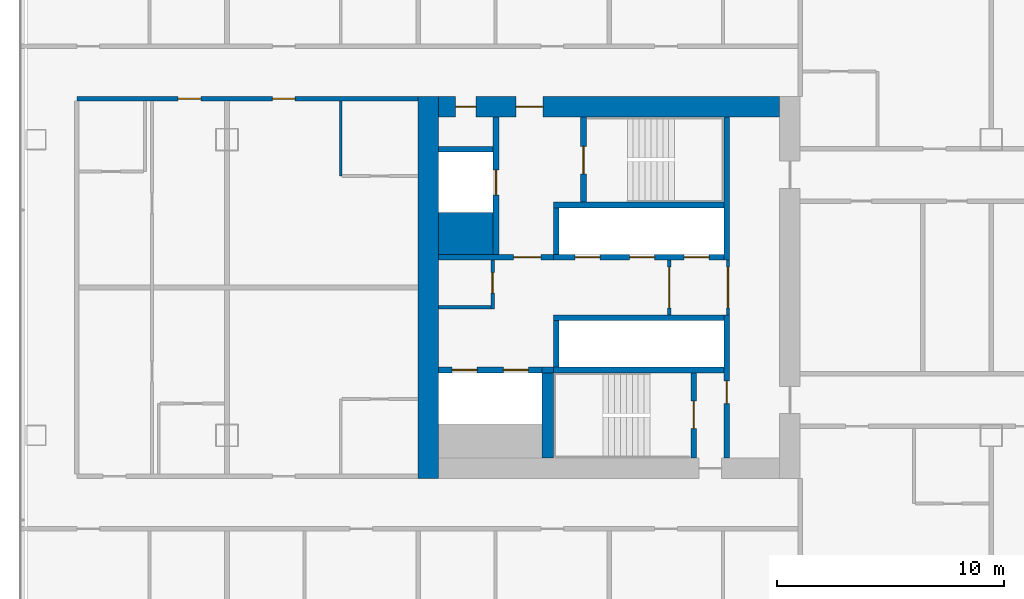
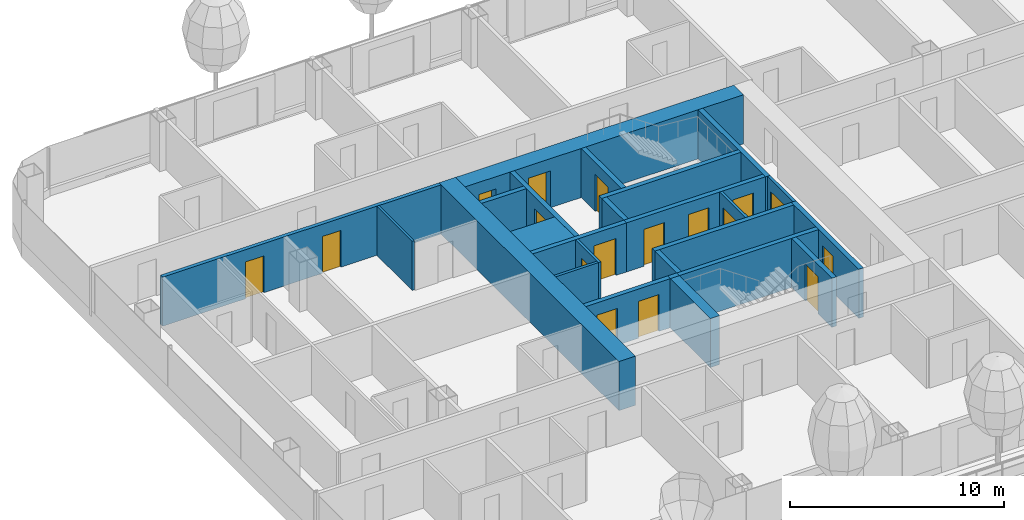
# One storey, part 14 of 35: 25 walls, 17 doors, 17 openings.
"""IFC4 building model written with IfcOpenShell, lengths in metres."""

from ifc_helpers import new_model, si_unit, direction, frame, frame_2d, origin, place, context, subcontext, project, spatial, rectangle, extrude, material, layer, layer_set, type_object, element, fill, save


model = new_model("IFC4")

# Units and contexts
model_context = context("Model", 3, precision=1e-05, world=origin(), true_north=direction((0.0, 1.0)))
body_context = subcontext(model_context, "Body", "Model", "MODEL_VIEW")
ifc_project = project(units=[si_unit("LENGTHUNIT", "METRE"), si_unit("AREAUNIT", "SQUARE_METRE"), si_unit("VOLUMEUNIT", "CUBIC_METRE"), si_unit("PLANEANGLEUNIT", "RADIAN"), si_unit("MASSUNIT", "GRAM", prefix="KILO")], contexts=[model_context])

# Site, building, storey
site_placement = place(None, origin())
site = spatial("IfcSite", under=ifc_project, at=site_placement, CompositionType="ELEMENT")
building_placement = place(site_placement, origin())
building = spatial("IfcBuilding", under=site, at=building_placement, Name="Hakoniwa Tower and Hamabe Station Hall", CompositionType="ELEMENT")
storey_placement = place(building_placement, frame((0.0, 0.0, 51.800048828125)))
storey = spatial("IfcBuildingStorey", under=building, at=storey_placement, Name="L14", CompositionType="ELEMENT", Elevation=51.800048828125)

# Wall
ifc_material_1 = material(Name="Gypsum board partition", Category="gypsum")
ifc_layer_1 = layer(ifc_material_1, 0.125)
ifc_layer_set_1 = layer_set([ifc_layer_1], Name="Bathroom Partition 125")
wall_type_1 = type_object("IfcWallType", Name="Bathroom Partition 125", PredefinedType="PARTITIONING", material=ifc_layer_set_1)
wall_1_placement = place(storey_placement, frame((-37.0, 4.89990234375, 0.0), z_axis=(0.0, 0.0, 1.0), x_axis=(0.0, 1.0, 0.0)))
element("IfcWall", 1, at=wall_1_placement, inside=storey, type_object=wall_type_1, Name="GW-L14-051", PredefinedType="PARTITIONING", context=body_context, shape_type="SweptSolid", body=[
    extrude(rectangle(XDim=3.300048828125, YDim=0.125, at=frame_2d((1.64990234375, 0.0))), origin(), (0.0, 0.0, 1.0), 2.800048828125),
])

# Wall, opening, door
ifc_material_2 = material(Name="Gypsum board partition")
ifc_layer_2 = layer(ifc_material_2, 0.14990234375)
ifc_layer_set_2 = layer_set([ifc_layer_2], Name="CORE PARTITION 150 EI 60")
wall_type_2 = type_object("IfcWallType", Name="CORE PARTITION 150 EI 60", PredefinedType="PARTITIONING", material=ifc_layer_set_2)
wall_2_placement = place(storey_placement, frame((-19.97509765625, -1.199951171875, 0.0), z_axis=(0.0, 0.0, 1.0), x_axis=(0.0, 1.0, 0.0)))
wall_2 = element("IfcWall", 2, at=wall_2_placement, inside=storey, type_object=wall_type_2, Name="Core partition PL0 west", PredefinedType="PARTITIONING", context=body_context, shape_type="SweptSolid", body=[
    extrude(rectangle(XDim=2.39990234375, YDim=0.14990234375, at=frame_2d((1.199951171875, 0.0))), origin(), (0.0, 0.0, 1.0), 2.800048828125),
])
opening_1_placement = place(wall_2_placement, frame((0.300048828125, 0.0, 0.0)))
opening_1 = element("IfcOpeningElement", 3, at=opening_1_placement, cuts=wall_2, Name="Opening CD-W-LP0-18", PredefinedType="OPENING", context=body_context, shape_type="SweptSolid", body=[
    extrude(rectangle(XDim=1.800048828125, YDim=2.10009765625, at=frame_2d((0.89990234375, 1.050048828125))), frame((0.0, 0.0849609375, 0.0), z_axis=(0.0, -1.0, 0.0), x_axis=(1.0, 0.0, 0.0)), (0.0, 0.0, 1.0), 0.169921875),
])
ifc_material_3 = material(Name="Steel fire door", Category="steel")
door_type_1 = type_object("IfcDoorType", Name="CORE DOOR 1800 FD60", OperationType="DOUBLE_DOOR_SINGLE_SWING", PredefinedType="DOOR", material=ifc_material_3)
door_1_placement = place(opening_1_placement, origin())
door_1 = element("IfcDoor", 4, at=door_1_placement, inside=storey, type_object=door_type_1, Name="Lift lobby partition door", OperationType="DOUBLE_DOOR_SINGLE_SWING", OverallHeight=2.10009765625, OverallWidth=1.800048828125, PredefinedType="DOOR", context=body_context, shape_type="SweptSolid", body=[
    extrude(rectangle(XDim=1.800048828125, YDim=2.10009765625, at=frame_2d((0.89990234375, 1.050048828125))), frame((0.0, 0.02490234375, 0.0), z_axis=(0.0, -1.0, 0.0), x_axis=(1.0, 0.0, 0.0)), (0.0, 0.0, 1.0), 0.050048828125),
])
fill(opening_1, door_1)

wall_3_placement = place(storey_placement, frame((-22.550048828125, -1.199951171875, 0.0), z_axis=(0.0, 0.0, 1.0), x_axis=(0.0, 1.0, 0.0)))
wall_3 = element("IfcWall", 5, at=wall_3_placement, inside=storey, type_object=wall_type_2, Name="Core partition PL1 west", PredefinedType="PARTITIONING", context=body_context, shape_type="SweptSolid", body=[
    extrude(rectangle(XDim=2.39990234375, YDim=0.14990234375, at=frame_2d((1.199951171875, 0.0))), origin(), (0.0, 0.0, 1.0), 2.800048828125),
])
opening_2_placement = place(wall_3_placement, frame((0.300048828125, 0.0, 0.0)))
opening_2 = element("IfcOpeningElement", 6, at=opening_2_placement, cuts=wall_3, Name="Opening CD-W-LP1-18", PredefinedType="OPENING", context=body_context, shape_type="SweptSolid", body=[
    extrude(rectangle(XDim=1.800048828125, YDim=2.10009765625, at=frame_2d((0.89990234375, 1.050048828125))), frame((0.0, 0.0849609375, 0.0), z_axis=(0.0, -1.0, 0.0), x_axis=(1.0, 0.0, 0.0)), (0.0, 0.0, 1.0), 0.169921875),
])
door_2_placement = place(opening_2_placement, origin())
door_2 = element("IfcDoor", 7, at=door_2_placement, inside=storey, type_object=door_type_1, Name="Lift lobby partition door", OperationType="DOUBLE_DOOR_SINGLE_SWING", OverallHeight=2.10009765625, OverallWidth=1.800048828125, PredefinedType="DOOR", context=body_context, shape_type="SweptSolid", body=[
    extrude(rectangle(XDim=1.800048828125, YDim=2.10009765625, at=frame_2d((0.89990234375, 1.050048828125))), frame((0.0, 0.02490234375, 0.0), z_axis=(0.0, -1.0, 0.0), x_axis=(1.0, 0.0, 0.0)), (0.0, 0.0, 1.0), 0.050048828125),
])
fill(opening_2, door_2)

wall_4_placement = place(storey_placement, frame((-30.324951171875, -0.949951171875, 0.0), z_axis=(0.0, 0.0, 1.0), x_axis=(0.0, 1.0, 0.0)))
wall_4 = element("IfcWall", 8, at=wall_4_placement, inside=storey, type_object=wall_type_2, Name="Core partition PW0 west", PredefinedType="PARTITIONING", context=body_context, shape_type="SweptSolid", body=[
    extrude(rectangle(XDim=2.14990234375, YDim=0.14990234375, at=frame_2d((1.074951171875, 0.0))), origin(), (0.0, 0.0, 1.0), 2.800048828125),
])
opening_3_placement = place(wall_4_placement, frame((0.699951171875, 0.0, 0.0)))
opening_3 = element("IfcOpeningElement", 9, at=opening_3_placement, cuts=wall_4, Name="Opening CD-W-RM1-9", PredefinedType="OPENING", context=body_context, shape_type="SweptSolid", body=[
    extrude(rectangle(XDim=0.89990234375, YDim=2.10009765625, at=frame_2d((0.449951171875, 1.050048828125))), frame((0.0, 0.0849609375, 0.0), z_axis=(0.0, -1.0, 0.0), x_axis=(1.0, 0.0, 0.0)), (0.0, 0.0, 1.0), 0.169921875),
])
ifc_material_4 = material(Name="Steel fire door", Category="steel")
door_type_2 = type_object("IfcDoorType", Name="CORE DOOR 900 FD30", OperationType="NOTDEFINED", PredefinedType="DOOR", material=ifc_material_4)
door_3_placement = place(opening_3_placement, origin())
door_3 = element("IfcDoor", 10, at=door_3_placement, inside=storey, type_object=door_type_2, Name="Store room door", OperationType="SINGLE_SWING_LEFT", OverallHeight=2.10009765625, OverallWidth=0.89990234375, PredefinedType="DOOR", context=body_context, shape_type="SweptSolid", body=[
    extrude(rectangle(XDim=0.89990234375, YDim=2.10009765625, at=frame_2d((0.449951171875, 1.050048828125))), frame((0.0, 0.02490234375, 0.0), z_axis=(0.0, -1.0, 0.0), x_axis=(1.0, 0.0, 0.0)), (0.0, 0.0, 1.0), 0.050048828125),
])
fill(opening_3, door_3)

# Walls
wall_5_placement = place(storey_placement, frame((-32.699951171875, -0.875, 0.0), z_axis=(0.0, 0.0, 1.0), x_axis=(1.0, 0.0, 0.0)))
element("IfcWall", 11, at=wall_5_placement, inside=storey, type_object=wall_type_2, Name="Core partition PS west", PredefinedType="PARTITIONING", context=body_context, shape_type="SweptSolid", body=[
    extrude(rectangle(XDim=2.300048828125, YDim=0.14990234375, at=frame_2d((1.14990234375, 0.0))), origin(), (0.0, 0.0, 1.0), 2.800048828125),
])
ifc_material_5 = material(Name="Concrete C80", Category="concrete")
ifc_layer_3 = layer(ifc_material_5, 0.89990234375)
ifc_layer_set_3 = layer_set([ifc_layer_3], Name="CORE WALL 900 C80")
wall_type_3 = type_object("IfcWallType", Name="CORE WALL 900 C80", PredefinedType="SHEAR", material=ifc_layer_set_3)
wall_6_placement = place(storey_placement, frame((-33.14990234375, -8.39990234375, 0.0), z_axis=(0.0, 0.0, 1.0), x_axis=(0.0, 1.0, 0.0)))
element("IfcWall", 12, at=wall_6_placement, inside=storey, type_object=wall_type_3, Name="Core wall OUTER west", PredefinedType="SHEAR", context=body_context, shape_type="SweptSolid", body=[
    extrude(rectangle(XDim=16.7998046875, YDim=0.89990234375, at=frame_2d((8.39990234375, 0.0))), origin(), (0.0, 0.0, 1.0), 2.800048828125),
])

# Wall, openings, doors
wall_7_placement = place(storey_placement, frame((-32.699951171875, 7.949951171875, 0.0), z_axis=(0.0, 0.0, 1.0), x_axis=(1.0, 0.0, 0.0)))
wall_7 = element("IfcWall", 13, at=wall_7_placement, inside=storey, type_object=wall_type_3, Name="Core wall NORTH west", PredefinedType="SHEAR", context=body_context, shape_type="SweptSolid", body=[
    extrude(rectangle(XDim=15.0, YDim=0.89990234375, at=frame_2d((7.5, 0.0))), origin(), (0.0, 0.0, 1.0), 2.800048828125),
])
opening_4_placement = place(wall_7_placement, frame((3.39990234375, 0.0, 0.0)))
opening_4 = element("IfcOpeningElement", 14, at=opening_4_placement, cuts=wall_7, Name="Opening CD-W-FN1-12", PredefinedType="OPENING", context=body_context, shape_type="SweptSolid", body=[
    extrude(rectangle(XDim=1.199951171875, YDim=2.10009765625, at=frame_2d((0.60009765625, 1.050048828125))), frame((0.0, 0.4599609375, 0.0), z_axis=(0.0, -1.0, 0.0), x_axis=(1.0, 0.0, 0.0)), (0.0, 0.0, 1.0), 0.919921875),
])
opening_5_placement = place(wall_7_placement, frame((0.75, 0.0, 0.0)))
opening_5 = element("IfcOpeningElement", 15, at=opening_5_placement, cuts=wall_7, Name="Opening CD-W-FN2-9", PredefinedType="OPENING", context=body_context, shape_type="SweptSolid", body=[
    extrude(rectangle(XDim=0.89990234375, YDim=2.10009765625, at=frame_2d((0.449951171875, 1.050048828125))), frame((0.0, 0.4599609375, 0.0), z_axis=(0.0, -1.0, 0.0), x_axis=(1.0, 0.0, 0.0)), (0.0, 0.0, 1.0), 0.919921875),
])
ifc_material_6 = material(Name="Steel fire door", Category="steel")
door_type_3 = type_object("IfcDoorType", Name="CORE DOOR 1200 FD60", OperationType="DOUBLE_DOOR_SINGLE_SWING", PredefinedType="DOOR", material=ifc_material_6)
door_4_placement = place(opening_4_placement, origin())
door_4 = element("IfcDoor", 16, at=door_4_placement, inside=storey, type_object=door_type_3, Name="Stair vestibule door to the fire-fighting lobby", OperationType="DOUBLE_DOOR_SINGLE_SWING", OverallHeight=2.10009765625, OverallWidth=1.199951171875, PredefinedType="DOOR", context=body_context, shape_type="SweptSolid", body=[
    extrude(rectangle(XDim=1.199951171875, YDim=2.10009765625, at=frame_2d((0.60009765625, 1.050048828125))), frame((0.0, 0.02490234375, 0.0), z_axis=(0.0, -1.0, 0.0), x_axis=(1.0, 0.0, 0.0)), (0.0, 0.0, 1.0), 0.050048828125),
])
fill(opening_4, door_4)
door_5_placement = place(opening_5_placement, origin())
door_5 = element("IfcDoor", 17, at=door_5_placement, inside=storey, type_object=door_type_2, Name="Riser access door", OperationType="SINGLE_SWING_LEFT", OverallHeight=2.10009765625, OverallWidth=0.89990234375, PredefinedType="DOOR", context=body_context, shape_type="SweptSolid", body=[
    extrude(rectangle(XDim=0.89990234375, YDim=2.10009765625, at=frame_2d((0.449951171875, 1.050048828125))), frame((0.0, 0.02490234375, 0.0), z_axis=(0.0, -1.0, 0.0), x_axis=(1.0, 0.0, 0.0)), (0.0, 0.0, 1.0), 0.050048828125),
])
fill(opening_5, door_5)

# Walls
ifc_material_7 = material(Name="Concrete C80", Category="concrete")
ifc_layer_4 = layer(ifc_material_7, 1.85009765625)
ifc_layer_set_4 = layer_set([ifc_layer_4], Name="CORE WEB WALL 1850 C80")
wall_type_4 = type_object("IfcWallType", Name="CORE WEB WALL 1850 C80", PredefinedType="SHEAR", material=ifc_layer_set_4)
wall_8_placement = place(storey_placement, frame((-32.699951171875, 2.375, 0.0), z_axis=(0.0, 0.0, 1.0), x_axis=(1.0, 0.0, 0.0)))
element("IfcWall", 18, at=wall_8_placement, inside=storey, type_object=wall_type_4, Name="Core wall CA west", PredefinedType="SHEAR", context=body_context, shape_type="SweptSolid", body=[
    extrude(rectangle(XDim=2.39990234375, YDim=1.85009765625, at=frame_2d((1.199951171875, 0.0))), origin(), (0.0, 0.0, 1.0), 2.800048828125),
])
ifc_material_8 = material(Name="Concrete C80", Category="concrete")
ifc_layer_5 = layer(ifc_material_8, 0.25)
ifc_layer_set_5 = layer_set([ifc_layer_5], Name="CORE WEB WALL 250 C80")
wall_type_5 = type_object("IfcWallType", Name="CORE WEB WALL 250 C80", PredefinedType="SHEAR", material=ifc_layer_set_5)
wall_9_placement = place(storey_placement, frame((-20.02490234375, 1.199951171875, 0.0), z_axis=(0.0, 0.0, 1.0), x_axis=(0.0, 1.0, 0.0)))
element("IfcWall", 19, at=wall_9_placement, inside=storey, type_object=wall_type_5, Name="Core wall W1N west", PredefinedType="SHEAR", context=body_context, shape_type="SweptSolid", body=[
    extrude(rectangle(XDim=6.300048828125, YDim=0.25, at=frame_2d((3.14990234375, 0.0))), origin(), (0.0, 0.0, 1.0), 2.800048828125),
])

# Wall, opening, door
wall_10_placement = place(storey_placement, frame((-20.02490234375, -7.5, 0.0), z_axis=(0.0, 0.0, 1.0), x_axis=(0.0, 1.0, 0.0)))
wall_10 = element("IfcWall", 20, at=wall_10_placement, inside=storey, type_object=wall_type_5, Name="Core wall W1S west", PredefinedType="SHEAR", context=body_context, shape_type="SweptSolid", body=[
    extrude(rectangle(XDim=6.300048828125, YDim=0.25, at=frame_2d((3.14990234375, 0.0))), origin(), (0.0, 0.0, 1.0), 2.800048828125),
])
opening_6_placement = place(wall_10_placement, frame((2.39990234375, 0.0, 0.0)))
opening_6 = element("IfcOpeningElement", 21, at=opening_6_placement, cuts=wall_10, Name="Opening CD-W-VS-10", PredefinedType="OPENING", context=body_context, shape_type="SweptSolid", body=[
    extrude(rectangle(XDim=1.0, YDim=2.10009765625, at=frame_2d((0.5, 1.050048828125))), frame((0.0, 0.135009765625, 0.0), z_axis=(0.0, -1.0, 0.0), x_axis=(1.0, 0.0, 0.0)), (0.0, 0.0, 1.0), 0.27001953125),
])
ifc_material_9 = material(Name="Steel fire door", Category="steel")
door_type_4 = type_object("IfcDoorType", Name="CORE DOOR 1000 FD60", OperationType="NOTDEFINED", PredefinedType="DOOR", material=ifc_material_9)
door_6_placement = place(opening_6_placement, origin())
door_6 = element("IfcDoor", 22, at=door_6_placement, inside=storey, type_object=door_type_4, Name="Stair vestibule door", OperationType="SINGLE_SWING_LEFT", OverallHeight=2.10009765625, OverallWidth=1.0, PredefinedType="DOOR", context=body_context, shape_type="SweptSolid", body=[
    extrude(rectangle(XDim=1.0, YDim=2.10009765625, at=frame_2d((0.5, 1.050048828125))), frame((0.0, 0.02490234375, 0.0), z_axis=(0.0, -1.0, 0.0), x_axis=(1.0, 0.0, 0.0)), (0.0, 0.0, 1.0), 0.050048828125),
])
fill(opening_6, door_6)

# Wall, openings, doors
wall_11_placement = place(storey_placement, frame((-27.64990234375, 1.324951171875, 0.0), z_axis=(0.0, 0.0, 1.0), x_axis=(1.0, 0.0, 0.0)))
wall_11 = element("IfcWall", 23, at=wall_11_placement, inside=storey, type_object=wall_type_5, Name="Core wall NF west", PredefinedType="SHEAR", context=body_context, shape_type="SweptSolid", body=[
    extrude(rectangle(XDim=7.5, YDim=0.25, at=frame_2d((3.75, 0.0))), origin(), (0.0, 0.0, 1.0), 2.800048828125),
])
opening_7_placement = place(wall_11_placement, frame((5.75, 0.0, 0.0)))
opening_7 = element("IfcOpeningElement", 24, at=opening_7_placement, cuts=wall_11, Name="Opening LD-LR1", PredefinedType="OPENING", context=body_context, shape_type="SweptSolid", body=[
    extrude(rectangle(XDim=1.10009765625, YDim=2.10009765625, at=frame_2d((0.550048828125, 1.050048828125))), frame((0.0, 0.135009765625, 0.0), z_axis=(0.0, -1.0, 0.0), x_axis=(1.0, 0.0, 0.0)), (0.0, 0.0, 1.0), 0.27001953125),
])
opening_8_placement = place(wall_11_placement, frame((3.35009765625, 0.0, 0.0)))
opening_8 = element("IfcOpeningElement", 25, at=opening_8_placement, cuts=wall_11, Name="Opening LD-LR2", PredefinedType="OPENING", context=body_context, shape_type="SweptSolid", body=[
    extrude(rectangle(XDim=1.10009765625, YDim=2.10009765625, at=frame_2d((0.550048828125, 1.050048828125))), frame((0.0, 0.135009765625, 0.0), z_axis=(0.0, -1.0, 0.0), x_axis=(1.0, 0.0, 0.0)), (0.0, 0.0, 1.0), 0.27001953125),
])
opening_9_placement = place(wall_11_placement, frame((0.949951171875, 0.0, 0.0)))
opening_9 = element("IfcOpeningElement", 26, at=opening_9_placement, cuts=wall_11, Name="Opening LD-LR3", PredefinedType="OPENING", context=body_context, shape_type="SweptSolid", body=[
    extrude(rectangle(XDim=1.10009765625, YDim=2.10009765625, at=frame_2d((0.550048828125, 1.050048828125))), frame((0.0, 0.135009765625, 0.0), z_axis=(0.0, -1.0, 0.0), x_axis=(1.0, 0.0, 0.0)), (0.0, 0.0, 1.0), 0.27001953125),
])
ifc_material_10 = material(Name="Stainless steel SUS304", Category="steel")
door_type_5 = type_object("IfcDoorType", Name="LIFT LANDING DOOR 1100 FD60", OperationType="DOUBLE_DOOR_SLIDING", PredefinedType="DOOR", material=ifc_material_10)
door_7_placement = place(opening_7_placement, origin())
door_7 = element("IfcDoor", 27, at=door_7_placement, inside=storey, type_object=door_type_5, Name="Lift landing door LR1 L14", OperationType="DOUBLE_DOOR_SLIDING", OverallHeight=2.10009765625, OverallWidth=1.10009765625, PredefinedType="DOOR", context=body_context, shape_type="SweptSolid", body=[
    extrude(rectangle(XDim=1.10009765625, YDim=2.10009765625, at=frame_2d((0.550048828125, 1.050048828125))), frame((0.0, 0.02490234375, 0.0), z_axis=(0.0, -1.0, 0.0), x_axis=(1.0, 0.0, 0.0)), (0.0, 0.0, 1.0), 0.050048828125),
])
fill(opening_7, door_7)
door_8_placement = place(opening_8_placement, origin())
door_8 = element("IfcDoor", 28, at=door_8_placement, inside=storey, type_object=door_type_5, Name="Lift landing door LR2 L14", OperationType="DOUBLE_DOOR_SLIDING", OverallHeight=2.10009765625, OverallWidth=1.10009765625, PredefinedType="DOOR", context=body_context, shape_type="SweptSolid", body=[
    extrude(rectangle(XDim=1.10009765625, YDim=2.10009765625, at=frame_2d((0.550048828125, 1.050048828125))), frame((0.0, 0.02490234375, 0.0), z_axis=(0.0, -1.0, 0.0), x_axis=(1.0, 0.0, 0.0)), (0.0, 0.0, 1.0), 0.050048828125),
])
fill(opening_8, door_8)
door_9_placement = place(opening_9_placement, origin())
door_9 = element("IfcDoor", 29, at=door_9_placement, inside=storey, type_object=door_type_5, Name="Lift landing door LR3 L14", OperationType="DOUBLE_DOOR_SLIDING", OverallHeight=2.10009765625, OverallWidth=1.10009765625, PredefinedType="DOOR", context=body_context, shape_type="SweptSolid", body=[
    extrude(rectangle(XDim=1.10009765625, YDim=2.10009765625, at=frame_2d((0.550048828125, 1.050048828125))), frame((0.0, 0.02490234375, 0.0), z_axis=(0.0, -1.0, 0.0), x_axis=(1.0, 0.0, 0.0)), (0.0, 0.0, 1.0), 0.050048828125),
])
fill(opening_9, door_9)

# Walls
wall_12_placement = place(storey_placement, frame((-27.52490234375, 1.449951171875, 0.0), z_axis=(0.0, 0.0, 1.0), x_axis=(0.0, 1.0, 0.0)))
element("IfcWall", 30, at=wall_12_placement, inside=storey, type_object=wall_type_5, Name="Core wall NE west", PredefinedType="SHEAR", context=body_context, shape_type="SweptSolid", body=[
    extrude(rectangle(XDim=2.050048828125, YDim=0.25, at=frame_2d((1.02490234375, 0.0))), origin(), (0.0, 0.0, 1.0), 2.800048828125),
])
wall_13_placement = place(storey_placement, frame((-27.64990234375, 3.625, 0.0), z_axis=(0.0, 0.0, 1.0), x_axis=(1.0, 0.0, 0.0)))
element("IfcWall", 31, at=wall_13_placement, inside=storey, type_object=wall_type_5, Name="Core wall NR west", PredefinedType="SHEAR", context=body_context, shape_type="SweptSolid", body=[
    extrude(rectangle(XDim=7.5, YDim=0.25, at=frame_2d((3.75, 0.0))), origin(), (0.0, 0.0, 1.0), 2.800048828125),
])

# Wall, opening, door
wall_14_placement = place(storey_placement, frame((-26.324951171875, 3.75, 0.0), z_axis=(0.0, 0.0, 1.0), x_axis=(0.0, 1.0, 0.0)))
wall_14 = element("IfcWall", 32, at=wall_14_placement, inside=storey, type_object=wall_type_5, Name="Core wall NSE west", PredefinedType="SHEAR", context=body_context, shape_type="SweptSolid", body=[
    extrude(rectangle(XDim=3.75, YDim=0.25, at=frame_2d((1.875, 0.0))), origin(), (0.0, 0.0, 1.0), 2.800048828125),
])
opening_10_placement = place(wall_14_placement, frame((1.25, 0.0, 0.0)))
opening_10 = element("IfcOpeningElement", 33, at=opening_10_placement, cuts=wall_14, Name="Opening CD-W-SN-12", PredefinedType="OPENING", context=body_context, shape_type="SweptSolid", body=[
    extrude(rectangle(XDim=1.199951171875, YDim=2.10009765625, at=frame_2d((0.60009765625, 1.050048828125))), frame((0.0, 0.135009765625, 0.0), z_axis=(0.0, -1.0, 0.0), x_axis=(1.0, 0.0, 0.0)), (0.0, 0.0, 1.0), 0.27001953125),
])
door_10_placement = place(opening_10_placement, origin())
door_10 = element("IfcDoor", 34, at=door_10_placement, inside=storey, type_object=door_type_3, Name="Escape stair door", OperationType="DOUBLE_DOOR_SINGLE_SWING", OverallHeight=2.10009765625, OverallWidth=1.199951171875, PredefinedType="DOOR", context=body_context, shape_type="SweptSolid", body=[
    extrude(rectangle(XDim=1.199951171875, YDim=2.10009765625, at=frame_2d((0.60009765625, 1.050048828125))), frame((0.0, 0.02490234375, 0.0), z_axis=(0.0, -1.0, 0.0), x_axis=(1.0, 0.0, 0.0)), (0.0, 0.0, 1.0), 0.050048828125),
])
fill(opening_10, door_10)

wall_15_placement = place(storey_placement, frame((-32.699951171875, 1.324951171875, 0.0), z_axis=(0.0, 0.0, 1.0), x_axis=(1.0, 0.0, 0.0)))
wall_15 = element("IfcWall", 35, at=wall_15_placement, inside=storey, type_object=wall_type_5, Name="Core wall ELN west", PredefinedType="SHEAR", context=body_context, shape_type="SweptSolid", body=[
    extrude(rectangle(XDim=5.050048828125, YDim=0.25, at=frame_2d((2.52490234375, 0.0))), origin(), (0.0, 0.0, 1.0), 2.800048828125),
])
opening_11_placement = place(wall_15_placement, frame((3.300048828125, 0.0, 0.0)))
opening_11 = element("IfcOpeningElement", 36, at=opening_11_placement, cuts=wall_15, Name="Opening CD-W-FL-12", PredefinedType="OPENING", context=body_context, shape_type="SweptSolid", body=[
    extrude(rectangle(XDim=1.199951171875, YDim=2.10009765625, at=frame_2d((0.60009765625, 1.050048828125))), frame((0.0, 0.135009765625, 0.0), z_axis=(0.0, -1.0, 0.0), x_axis=(1.0, 0.0, 0.0)), (0.0, 0.0, 1.0), 0.27001953125),
])
door_11_placement = place(opening_11_placement, origin())
door_11 = element("IfcDoor", 37, at=door_11_placement, inside=storey, type_object=door_type_3, Name="Stair vestibule door to the fire-fighting lobby", OperationType="DOUBLE_DOOR_SINGLE_SWING", OverallHeight=2.10009765625, OverallWidth=1.199951171875, PredefinedType="DOOR", context=body_context, shape_type="SweptSolid", body=[
    extrude(rectangle(XDim=1.199951171875, YDim=2.10009765625, at=frame_2d((0.60009765625, 1.050048828125))), frame((0.0, 0.02490234375, 0.0), z_axis=(0.0, -1.0, 0.0), x_axis=(1.0, 0.0, 0.0)), (0.0, 0.0, 1.0), 0.050048828125),
])
fill(opening_11, door_11)

wall_16_placement = place(storey_placement, frame((-30.175048828125, 1.449951171875, 0.0), z_axis=(0.0, 0.0, 1.0), x_axis=(0.0, 1.0, 0.0)))
wall_16 = element("IfcWall", 38, at=wall_16_placement, inside=storey, type_object=wall_type_5, Name="Core wall FFF west", PredefinedType="SHEAR", context=body_context, shape_type="SweptSolid", body=[
    extrude(rectangle(XDim=6.050048828125, YDim=0.25, at=frame_2d((3.02490234375, 0.0))), origin(), (0.0, 0.0, 1.0), 2.800048828125),
])
opening_12_placement = place(wall_16_placement, frame((2.625, 0.0, 0.0)))
opening_12 = element("IfcOpeningElement", 39, at=opening_12_placement, cuts=wall_16, Name="Opening LD-FF1", PredefinedType="OPENING", context=body_context, shape_type="SweptSolid", body=[
    extrude(rectangle(XDim=1.10009765625, YDim=2.10009765625, at=frame_2d((0.550048828125, 1.050048828125))), frame((0.0, 0.135009765625, 0.0), z_axis=(0.0, -1.0, 0.0), x_axis=(1.0, 0.0, 0.0)), (0.0, 0.0, 1.0), 0.27001953125),
])
door_12_placement = place(opening_12_placement, origin())
door_12 = element("IfcDoor", 40, at=door_12_placement, inside=storey, type_object=door_type_5, Name="Lift landing door FF1 L14", OperationType="DOUBLE_DOOR_SLIDING", OverallHeight=2.10009765625, OverallWidth=1.10009765625, PredefinedType="DOOR", context=body_context, shape_type="SweptSolid", body=[
    extrude(rectangle(XDim=1.10009765625, YDim=2.10009765625, at=frame_2d((0.550048828125, 1.050048828125))), frame((0.0, 0.02490234375, 0.0), z_axis=(0.0, -1.0, 0.0), x_axis=(1.0, 0.0, 0.0)), (0.0, 0.0, 1.0), 0.050048828125),
])
fill(opening_12, door_12)

# Walls
wall_17_placement = place(storey_placement, frame((-32.699951171875, 6.074951171875, 0.0), z_axis=(0.0, 0.0, 1.0), x_axis=(1.0, 0.0, 0.0)))
element("IfcWall", 41, at=wall_17_placement, inside=storey, type_object=wall_type_5, Name="Core wall C2 west", PredefinedType="SHEAR", context=body_context, shape_type="SweptSolid", body=[
    extrude(rectangle(XDim=2.39990234375, YDim=0.25, at=frame_2d((1.199951171875, 0.0))), origin(), (0.0, 0.0, 1.0), 2.800048828125),
])
wall_18_placement = place(storey_placement, frame((-27.64990234375, -1.324951171875, 0.0), z_axis=(0.0, 0.0, 1.0), x_axis=(1.0, 0.0, 0.0)))
element("IfcWall", 42, at=wall_18_placement, inside=storey, type_object=wall_type_5, Name="Core wall SF west", PredefinedType="SHEAR", context=body_context, shape_type="SweptSolid", body=[
    extrude(rectangle(XDim=7.5, YDim=0.25, at=frame_2d((3.75, 0.0))), origin(), (0.0, 0.0, 1.0), 2.800048828125),
])
wall_19_placement = place(storey_placement, frame((-27.52490234375, -3.5, 0.0), z_axis=(0.0, 0.0, 1.0), x_axis=(0.0, 1.0, 0.0)))
element("IfcWall", 43, at=wall_19_placement, inside=storey, type_object=wall_type_5, Name="Core wall SE west", PredefinedType="SHEAR", context=body_context, shape_type="SweptSolid", body=[
    extrude(rectangle(XDim=2.050048828125, YDim=0.25, at=frame_2d((1.02490234375, 0.0))), origin(), (0.0, 0.0, 1.0), 2.800048828125),
])
wall_20_placement = place(storey_placement, frame((-27.64990234375, -3.625, 0.0), z_axis=(0.0, 0.0, 1.0), x_axis=(1.0, 0.0, 0.0)))
element("IfcWall", 44, at=wall_20_placement, inside=storey, type_object=wall_type_5, Name="Core wall SR west", PredefinedType="SHEAR", context=body_context, shape_type="SweptSolid", body=[
    extrude(rectangle(XDim=7.5, YDim=0.25, at=frame_2d((3.75, 0.0))), origin(), (0.0, 0.0, 1.0), 2.800048828125),
])

# Wall, opening, door
wall_21_placement = place(storey_placement, frame((-21.47509765625, -7.5, 0.0), z_axis=(0.0, 0.0, 1.0), x_axis=(0.0, 1.0, 0.0)))
wall_21 = element("IfcWall", 45, at=wall_21_placement, inside=storey, type_object=wall_type_5, Name="Core wall VE west", PredefinedType="SHEAR", context=body_context, shape_type="SweptSolid", body=[
    extrude(rectangle(XDim=3.75, YDim=0.25, at=frame_2d((1.875, 0.0))), origin(), (0.0, 0.0, 1.0), 2.800048828125),
])
opening_13_placement = place(wall_21_placement, frame((1.300048828125, 0.0, 0.0)))
opening_13 = element("IfcOpeningElement", 46, at=opening_13_placement, cuts=wall_21, Name="Opening CD-W-SS-12", PredefinedType="OPENING", context=body_context, shape_type="SweptSolid", body=[
    extrude(rectangle(XDim=1.199951171875, YDim=2.10009765625, at=frame_2d((0.60009765625, 1.050048828125))), frame((0.0, 0.135009765625, 0.0), z_axis=(0.0, -1.0, 0.0), x_axis=(1.0, 0.0, 0.0)), (0.0, 0.0, 1.0), 0.27001953125),
])
door_13_placement = place(opening_13_placement, origin())
door_13 = element("IfcDoor", 47, at=door_13_placement, inside=storey, type_object=door_type_3, Name="Escape stair door", OperationType="DOUBLE_DOOR_SINGLE_SWING", OverallHeight=2.10009765625, OverallWidth=1.199951171875, PredefinedType="DOOR", context=body_context, shape_type="SweptSolid", body=[
    extrude(rectangle(XDim=1.199951171875, YDim=2.10009765625, at=frame_2d((0.60009765625, 1.050048828125))), frame((0.0, 0.02490234375, 0.0), z_axis=(0.0, -1.0, 0.0), x_axis=(1.0, 0.0, 0.0)), (0.0, 0.0, 1.0), 0.050048828125),
])
fill(opening_13, door_13)

# Wall, openings, doors
wall_22_placement = place(storey_placement, frame((-32.699951171875, -3.625, 0.0), z_axis=(0.0, 0.0, 1.0), x_axis=(1.0, 0.0, 0.0)))
wall_22 = element("IfcWall", 48, at=wall_22_placement, inside=storey, type_object=wall_type_5, Name="Core wall SEF west", PredefinedType="SHEAR", context=body_context, shape_type="SweptSolid", body=[
    extrude(rectangle(XDim=4.550048828125, YDim=0.25, at=frame_2d((2.27490234375, 0.0))), origin(), (0.0, 0.0, 1.0), 2.800048828125),
])
opening_14_placement = place(wall_22_placement, frame((2.85009765625, 0.0, 0.0)))
opening_14 = element("IfcOpeningElement", 49, at=opening_14_placement, cuts=wall_22, Name="Opening LD-SV1", PredefinedType="OPENING", context=body_context, shape_type="SweptSolid", body=[
    extrude(rectangle(XDim=1.10009765625, YDim=2.10009765625, at=frame_2d((0.550048828125, 1.050048828125))), frame((0.0, 0.135009765625, 0.0), z_axis=(0.0, -1.0, 0.0), x_axis=(1.0, 0.0, 0.0)), (0.0, 0.0, 1.0), 0.27001953125),
])
opening_15_placement = place(wall_22_placement, frame((0.60009765625, 0.0, 0.0)))
opening_15 = element("IfcOpeningElement", 50, at=opening_15_placement, cuts=wall_22, Name="Opening LD-SV2", PredefinedType="OPENING", context=body_context, shape_type="SweptSolid", body=[
    extrude(rectangle(XDim=1.10009765625, YDim=2.10009765625, at=frame_2d((0.550048828125, 1.050048828125))), frame((0.0, 0.135009765625, 0.0), z_axis=(0.0, -1.0, 0.0), x_axis=(1.0, 0.0, 0.0)), (0.0, 0.0, 1.0), 0.27001953125),
])
door_14_placement = place(opening_14_placement, origin())
door_14 = element("IfcDoor", 51, at=door_14_placement, inside=storey, type_object=door_type_5, Name="Lift landing door SV1 L14", OperationType="DOUBLE_DOOR_SLIDING", OverallHeight=2.10009765625, OverallWidth=1.10009765625, PredefinedType="DOOR", context=body_context, shape_type="SweptSolid", body=[
    extrude(rectangle(XDim=1.10009765625, YDim=2.10009765625, at=frame_2d((0.550048828125, 1.050048828125))), frame((0.0, 0.02490234375, 0.0), z_axis=(0.0, -1.0, 0.0), x_axis=(1.0, 0.0, 0.0)), (0.0, 0.0, 1.0), 0.050048828125),
])
fill(opening_14, door_14)
door_15_placement = place(opening_15_placement, origin())
door_15 = element("IfcDoor", 52, at=door_15_placement, inside=storey, type_object=door_type_5, Name="Lift landing door SV2 L14", OperationType="DOUBLE_DOOR_SLIDING", OverallHeight=2.10009765625, OverallWidth=1.10009765625, PredefinedType="DOOR", context=body_context, shape_type="SweptSolid", body=[
    extrude(rectangle(XDim=1.10009765625, YDim=2.10009765625, at=frame_2d((0.550048828125, 1.050048828125))), frame((0.0, 0.02490234375, 0.0), z_axis=(0.0, -1.0, 0.0), x_axis=(1.0, 0.0, 0.0)), (0.0, 0.0, 1.0), 0.050048828125),
])
fill(opening_15, door_15)

# Walls
wall_23_placement = place(storey_placement, frame((-28.14990234375, -3.625, 0.0), z_axis=(0.0, 0.0, 1.0), x_axis=(1.0, 0.0, 0.0)))
element("IfcWall", 53, at=wall_23_placement, inside=storey, type_object=wall_type_5, Name="Core wall SRK west", PredefinedType="SHEAR", context=body_context, shape_type="SweptSolid", body=[
    extrude(rectangle(XDim=0.5, YDim=0.25, at=frame_2d((0.25, 0.0))), origin(), (0.0, 0.0, 1.0), 2.800048828125),
])
ifc_material_11 = material(Name="Concrete C80", Category="concrete")
ifc_layer_6 = layer(ifc_material_11, 0.5)
ifc_layer_set_6 = layer_set([ifc_layer_6], Name="CORE WEB WALL 500 C80")
wall_type_6 = type_object("IfcWallType", Name="CORE WEB WALL 500 C80", PredefinedType="SHEAR", material=ifc_layer_set_6)
wall_24_placement = place(storey_placement, frame((-27.89990234375, -7.5, 0.0), z_axis=(0.0, 0.0, 1.0), x_axis=(0.0, 1.0, 0.0)))
element("IfcWall", 54, at=wall_24_placement, inside=storey, type_object=wall_type_6, Name="Core wall SSE west", PredefinedType="SHEAR", context=body_context, shape_type="SweptSolid", body=[
    extrude(rectangle(XDim=3.75, YDim=0.5, at=frame_2d((1.875, 0.0))), origin(), (0.0, 0.0, 1.0), 2.800048828125),
])

# Wall, openings, doors
ifc_material_12 = material(Name="Fire-rated gypsum board partition", Category="gypsum")
ifc_layer_7 = layer(ifc_material_12, 0.199951171875)
ifc_layer_set_7 = layer_set([ifc_layer_7], Name="Corridor Wall 200")
wall_type_7 = type_object("IfcWallType", Name="Corridor Wall 200", PredefinedType="PARTITIONING", material=ifc_layer_set_7)
wall_25_placement = place(storey_placement, frame((-48.60009765625, 8.300048828125, 0.0), z_axis=(0.0, 0.0, 1.0), x_axis=(1.0, 0.0, 0.0)))
wall_25 = element("IfcWall", 55, at=wall_25_placement, inside=storey, type_object=wall_type_7, Name="GW-L14-028", PredefinedType="PARTITIONING", context=body_context, shape_type="SweptSolid", body=[
    extrude(rectangle(XDim=15.0, YDim=0.199951171875, at=frame_2d((7.5, 0.0))), origin(), (0.0, 0.0, 1.0), 2.800048828125),
])
opening_16_placement = place(wall_25_placement, frame((4.449951171875, 0.0, 0.0)))
opening_16 = element("IfcOpeningElement", 56, at=opening_16_placement, cuts=wall_25, Name="Opening GD-G1A2-51", PredefinedType="OPENING", context=body_context, shape_type="SweptSolid", body=[
    extrude(rectangle(XDim=1.0, YDim=2.10009765625, at=frame_2d((0.5, 1.050048828125))), frame((0.0, 0.10986328125, 0.0), z_axis=(0.0, -1.0, 0.0), x_axis=(1.0, 0.0, 0.0)), (0.0, 0.0, 1.0), 0.219970703125),
])
opening_17_placement = place(wall_25_placement, frame((8.60009765625, 0.0, 0.0)))
opening_17 = element("IfcOpeningElement", 57, at=opening_17_placement, cuts=wall_25, Name="Opening GD-G1A2-52", PredefinedType="OPENING", context=body_context, shape_type="SweptSolid", body=[
    extrude(rectangle(XDim=1.0, YDim=2.10009765625, at=frame_2d((0.5, 1.050048828125))), frame((0.0, 0.10986328125, 0.0), z_axis=(0.0, -1.0, 0.0), x_axis=(1.0, 0.0, 0.0)), (0.0, 0.0, 1.0), 0.219970703125),
])
ifc_material_13 = material(Name="Timber door leaf", Category="wood")
door_type_6 = type_object("IfcDoorType", Name="Guest Entrance Door 1000", OperationType="SINGLE_SWING_LEFT", PredefinedType="DOOR", material=ifc_material_13)
door_16_placement = place(opening_16_placement, origin())
door_16 = element("IfcDoor", 58, at=door_16_placement, inside=storey, type_object=door_type_6, Name="Door GD-G1A2-51", OperationType="SINGLE_SWING_RIGHT", OverallHeight=2.10009765625, OverallWidth=1.0, PredefinedType="DOOR", context=body_context, shape_type="SweptSolid", body=[
    extrude(rectangle(XDim=1.0, YDim=2.10009765625, at=frame_2d((0.5, 1.050048828125))), frame((0.0, 0.02490234375, 0.0), z_axis=(0.0, -1.0, 0.0), x_axis=(1.0, 0.0, 0.0)), (0.0, 0.0, 1.0), 0.050048828125),
])
fill(opening_16, door_16)
door_17_placement = place(opening_17_placement, origin())
door_17 = element("IfcDoor", 59, at=door_17_placement, inside=storey, type_object=door_type_6, Name="Door GD-G1A2-52", OperationType="SINGLE_SWING_RIGHT", OverallHeight=2.10009765625, OverallWidth=1.0, PredefinedType="DOOR", context=body_context, shape_type="SweptSolid", body=[
    extrude(rectangle(XDim=1.0, YDim=2.10009765625, at=frame_2d((0.5, 1.050048828125))), frame((0.0, 0.02490234375, 0.0), z_axis=(0.0, -1.0, 0.0), x_axis=(1.0, 0.0, 0.0)), (0.0, 0.0, 1.0), 0.050048828125),
])
fill(opening_17, door_17)

save(model, "model.ifc")
